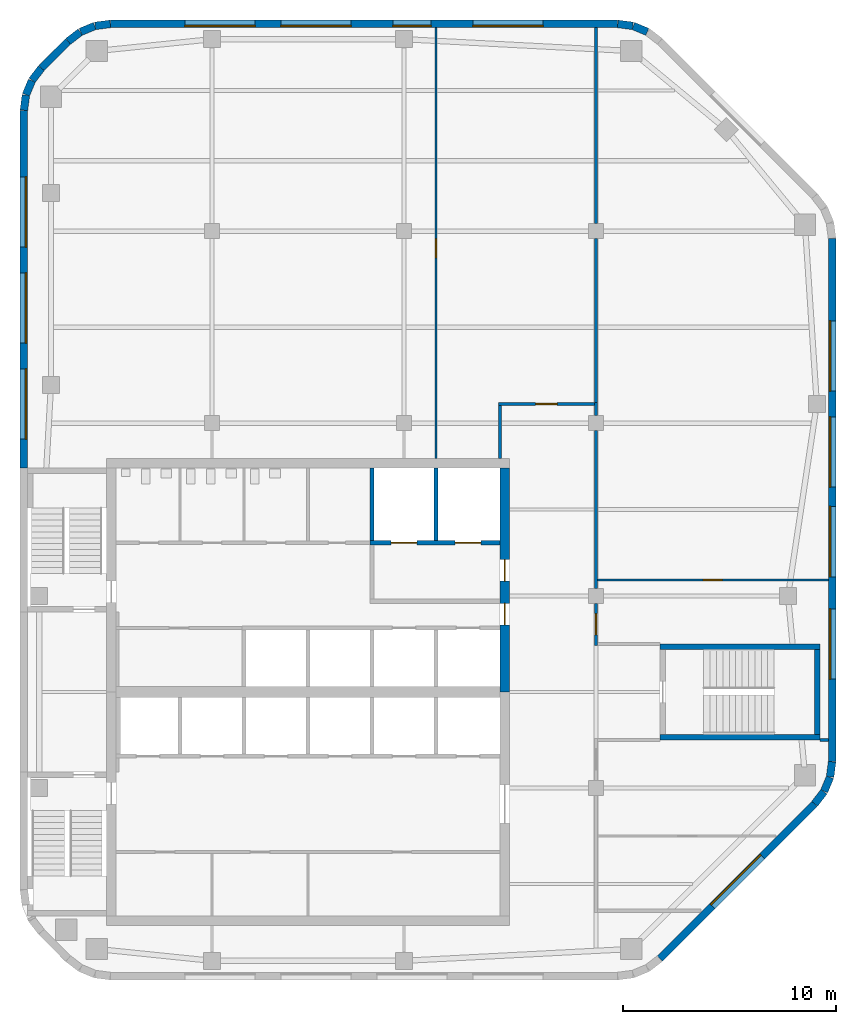
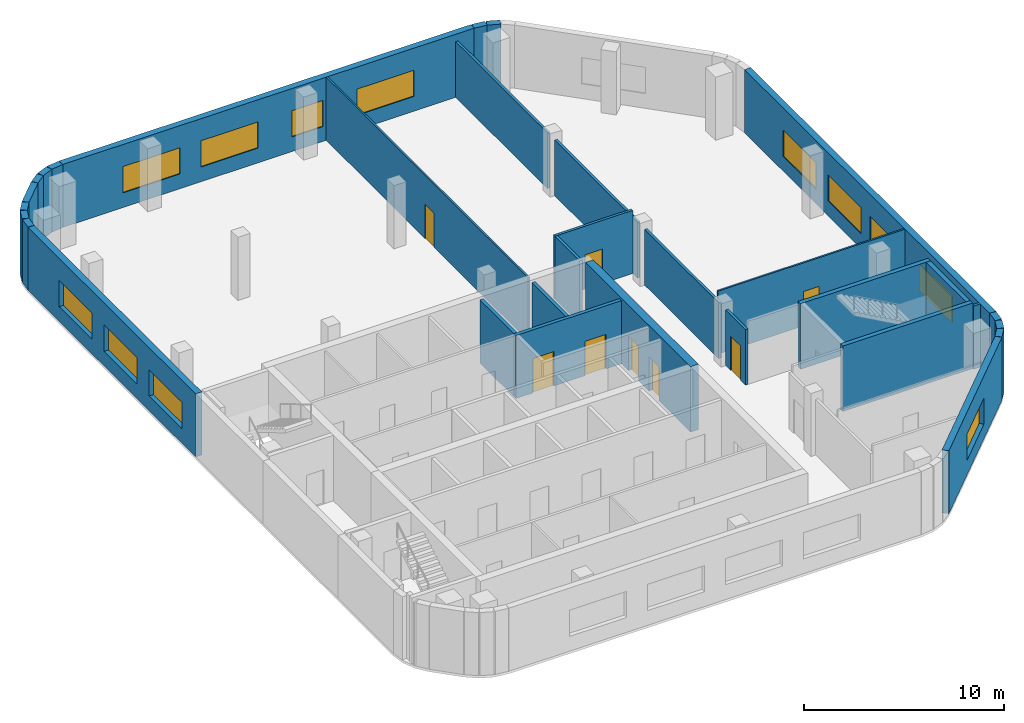
# One storey, part 4 of 7: 33 walls, 12 windows, 8 doors, 20 openings.
"""IFC4 building model written with IfcOpenShell, lengths in metres."""

from ifc_helpers import new_model, si_unit, direction, frame, frame_2d, origin, place, context, subcontext, project, spatial, rectangle, extrude, material, layer, layer_set, type_object, element, fill, save


model = new_model("IFC4")

# Units and contexts
model_context = context("Model", 3, precision=1e-05, world=origin(), true_north=direction((0.0, 1.0)))
body_context = subcontext(model_context, "Body", "Model", "MODEL_VIEW")
ifc_project = project(units=[si_unit("LENGTHUNIT", "METRE"), si_unit("AREAUNIT", "SQUARE_METRE"), si_unit("VOLUMEUNIT", "CUBIC_METRE"), si_unit("PLANEANGLEUNIT", "RADIAN"), si_unit("MASSUNIT", "GRAM", prefix="KILO")], contexts=[model_context])

# Site, building, storey
site_placement = place(None, origin())
site = spatial("IfcSite", under=ifc_project, at=site_placement, CompositionType="ELEMENT")
building_placement = place(site_placement, origin())
building = spatial("IfcBuilding", under=site, at=building_placement, Name="Cinnabar Reach Civic Tower", CompositionType="ELEMENT")
storey_placement = place(building_placement, frame((0.0, 0.0, 259.0)))
storey = spatial("IfcBuildingStorey", under=building, at=storey_placement, Name="L62", CompositionType="ELEMENT", Elevation=259.0)

# Walls
ifc_material_1 = material(Name="Facing brick with insulated backing", Category="masonry")
ifc_layer_1 = layer(ifc_material_1, 0.36)
ifc_layer_set_1 = layer_set([ifc_layer_1], Name="Brick corner wall")
wall_type_1 = type_object("IfcWallType", Name="Brick corner wall", PredefinedType="STANDARD", material=ifc_layer_set_1)
wall_1_placement = place(storey_placement, frame((37.2498, 26.2587, 0.0), z_axis=(0.0, 0.0, 1.0), x_axis=(0.608802368033, 0.793321924995, 0.0)))
element("IfcWall", 1, at=wall_1_placement, inside=storey, type_object=wall_type_1, Name="Brick corner wall", PredefinedType="STANDARD", context=body_context, shape_type="SweptSolid", body=[
    extrude(rectangle(XDim=0.7132, YDim=0.36, at=frame_2d((0.3566, 0.0))), origin(), (0.0, 0.0, 1.0), 3.85),
])
for number, where, z_axis, x_axis, name in (
    (2, (37.6952, 26.8439, 0.0), (0.0, 0.0, 1.0), (0.382702709855, 0.923871547278, 0.0), "Brick corner wall"),
    (3, (37.9739, 27.5244, 0.0), (0.0, 0.0, 1.0), (0.13055608231, 0.99144092581, 0.0), "Brick corner wall"),
    (4, (29.4061, 62.4452, 0.0), (0.0, 0.0, 1.0), (-0.923871547278, 0.382702709855, 0.0), "Brick corner wall"),
    (5, (28.7256, 62.7239, 0.0), (0.0, 0.0, 1.0), (-0.99144092581, 0.13055608231, 0.0), "Brick corner wall"),
    (6, (4.2314, 62.817, 0.0), (0.0, 0.0, 1.0), (-0.99144092581, -0.13055608231, 0.0), "Brick corner wall"),
    (7, (3.5027, 62.7181, 0.0), (0.0, 0.0, 1.0), (-0.923871547278, -0.382702709855, 0.0), "Brick corner wall"),
):
    element("IfcWall", number, at=place(storey_placement, frame(where, z_axis=z_axis, x_axis=x_axis)), inside=storey, type_object=wall_type_1, Name=name, PredefinedType="STANDARD", context=body_context, shape_type="SweptSolid", body=[
        extrude(rectangle(XDim=0.7131, YDim=0.36, at=frame_2d((0.3565, 0.0))), origin(), (0.0, 0.0, 1.0), 3.85),
    ])
for number, where, z_axis, x_axis, name in (
    (8, (2.8245, 62.434, 0.0), (0.0, 0.0, 1.0), (-0.793321924995, -0.608802368033, 0.0), "Brick corner wall"),
    (9, (1.0002, 60.7413, 0.0), (0.0, 0.0, 1.0), (-0.608802368033, -0.793321924995, 0.0), "Brick corner wall"),
):
    element("IfcWall", number, at=place(storey_placement, frame(where, z_axis=z_axis, x_axis=x_axis)), inside=storey, type_object=wall_type_1, Name=name, PredefinedType="STANDARD", context=body_context, shape_type="SweptSolid", body=[
        extrude(rectangle(XDim=0.7132, YDim=0.36, at=frame_2d((0.3566, 0.0))), origin(), (0.0, 0.0, 1.0), 3.85),
    ])
for number, where, z_axis, x_axis, name in (
    (10, (0.5548, 60.1561, 0.0), (0.0, 0.0, 1.0), (-0.382702709855, -0.923871547278, 0.0), "Brick corner wall"),
    (11, (0.2761, 59.4756, 0.0), (0.0, 0.0, 1.0), (-0.13055608231, -0.99144092581, 0.0), "Brick corner wall"),
):
    element("IfcWall", number, at=place(storey_placement, frame(where, z_axis=z_axis, x_axis=x_axis)), inside=storey, type_object=wall_type_1, Name=name, PredefinedType="STANDARD", context=body_context, shape_type="SweptSolid", body=[
        extrude(rectangle(XDim=0.7131, YDim=0.36, at=frame_2d((0.3565, 0.0))), origin(), (0.0, 0.0, 1.0), 3.85),
    ])

# Wall, opening, window
ifc_layer_2 = layer(ifc_material_1, 0.36)
ifc_layer_set_2 = layer_set([ifc_layer_2], Name="Brick pier and spandrel wall")
wall_type_2 = type_object("IfcWallType", Name="Brick pier and spandrel wall", PredefinedType="STANDARD", material=ifc_layer_set_2)
wall_2_placement = place(storey_placement, frame((30.0014, 19.006, 0.0), z_axis=(0.0, 0.0, 1.0), x_axis=(0.707106781187, 0.707106781187, 0.0)))
wall_2 = element("IfcWall", 12, at=wall_2_placement, inside=storey, type_object=wall_type_2, Name="Brick facade wall", PredefinedType="STANDARD", context=body_context, shape_type="SweptSolid", body=[
    extrude(rectangle(XDim=10.2426, YDim=0.36, at=frame_2d((5.1213, 0.0))), origin(), (0.0, 0.0, 1.0), 3.85),
])
opening_1_placement = place(wall_2_placement, frame((3.4713, 0.0, 0.9)))
opening_1 = element("IfcOpeningElement", 13, at=opening_1_placement, cuts=wall_2, Name="Opening W2232", PredefinedType="OPENING", context=body_context, shape_type="SweptSolid", body=[
    extrude(rectangle(XDim=3.3, YDim=1.6, at=frame_2d((1.65, 0.8))), frame((0.0, 0.19, 0.0), z_axis=(0.0, -1.0, 0.0), x_axis=(1.0, 0.0, 0.0)), (0.0, 0.0, 1.0), 0.38),
])
ifc_material_2 = material(Name="Clear double glazing in aluminium frame", Category="aluminium")
window_type_1 = type_object("IfcWindowType", Name="Deep-set window A", PartitioningType="SINGLE_PANEL", PredefinedType="WINDOW", material=ifc_material_2)
window_1_placement = place(opening_1_placement, origin())
window_1 = element("IfcWindow", 14, at=window_1_placement, inside=storey, type_object=window_type_1, Name="Window southeast face", OverallHeight=1.6, OverallWidth=3.3, PartitioningType="SINGLE_PANEL", PredefinedType="WINDOW", context=body_context, shape_type="SweptSolid", body=[
    extrude(rectangle(XDim=3.3, YDim=1.6, at=frame_2d((1.65, 0.8))), frame((0.0, 0.13, 0.0), z_axis=(0.0, -1.0, 0.0), x_axis=(1.0, 0.0, 0.0)), (0.0, 0.0, 1.0), 0.06),
])
fill(opening_1, window_1)

# Wall, openings, windows
wall_3_placement = place(storey_placement, frame((38.07, 28.2426, 0.0), z_axis=(0.0, 0.0, 1.0), x_axis=(0.0, 1.0, 0.0)))
wall_3 = element("IfcWall", 15, at=wall_3_placement, inside=storey, type_object=wall_type_2, Name="Brick facade wall", PredefinedType="STANDARD", context=body_context, shape_type="SweptSolid", body=[
    extrude(rectangle(XDim=24.5148, YDim=0.36, at=frame_2d((12.2574, 0.0))), origin(), (0.0, 0.0, 1.0), 3.85),
])
opening_2_placement = place(wall_3_placement, frame((3.8574, 0.0, 0.9)))
opening_2 = element("IfcOpeningElement", 16, at=opening_2_placement, cuts=wall_3, Name="Opening W2233", PredefinedType="OPENING", context=body_context, shape_type="SweptSolid", body=[
    extrude(rectangle(XDim=3.3, YDim=1.6, at=frame_2d((1.65, 0.8))), frame((0.0, 0.19, 0.0), z_axis=(0.0, -1.0, 0.0), x_axis=(1.0, 0.0, 0.0)), (0.0, 0.0, 1.0), 0.38),
])
opening_3_placement = place(wall_3_placement, frame((8.6574, 0.0, 0.9)))
opening_3 = element("IfcOpeningElement", 17, at=opening_3_placement, cuts=wall_3, Name="Opening W2234", PredefinedType="OPENING", context=body_context, shape_type="SweptSolid", body=[
    extrude(rectangle(XDim=3.3, YDim=1.6, at=frame_2d((1.65, 0.8))), frame((0.0, 0.19, 0.0), z_axis=(0.0, -1.0, 0.0), x_axis=(1.0, 0.0, 0.0)), (0.0, 0.0, 1.0), 0.38),
])
opening_4_placement = place(wall_3_placement, frame((12.8574, 0.0, 0.9)))
opening_4 = element("IfcOpeningElement", 18, at=opening_4_placement, cuts=wall_3, Name="Opening W2235", PredefinedType="OPENING", context=body_context, shape_type="SweptSolid", body=[
    extrude(rectangle(XDim=3.3, YDim=1.6, at=frame_2d((1.65, 0.8))), frame((0.0, 0.19, 0.0), z_axis=(0.0, -1.0, 0.0), x_axis=(1.0, 0.0, 0.0)), (0.0, 0.0, 1.0), 0.38),
])
opening_5_placement = place(wall_3_placement, frame((17.3574, 0.0, 0.9)))
opening_5 = element("IfcOpeningElement", 19, at=opening_5_placement, cuts=wall_3, Name="Opening W2236", PredefinedType="OPENING", context=body_context, shape_type="SweptSolid", body=[
    extrude(rectangle(XDim=3.3, YDim=1.6, at=frame_2d((1.65, 0.8))), frame((0.0, 0.19, 0.0), z_axis=(0.0, -1.0, 0.0), x_axis=(1.0, 0.0, 0.0)), (0.0, 0.0, 1.0), 0.38),
])
window_2_placement = place(opening_2_placement, origin())
window_2 = element("IfcWindow", 20, at=window_2_placement, inside=storey, type_object=window_type_1, Name="Window east face", OverallHeight=1.6, OverallWidth=3.3, PartitioningType="SINGLE_PANEL", PredefinedType="WINDOW", context=body_context, shape_type="SweptSolid", body=[
    extrude(rectangle(XDim=3.3, YDim=1.6, at=frame_2d((1.65, 0.8))), frame((0.0, 0.13, 0.0), z_axis=(0.0, -1.0, 0.0), x_axis=(1.0, 0.0, 0.0)), (0.0, 0.0, 1.0), 0.06),
])
fill(opening_2, window_2)
window_3_placement = place(opening_3_placement, origin())
window_3 = element("IfcWindow", 21, at=window_3_placement, inside=storey, type_object=window_type_1, Name="Window east face", OverallHeight=1.6, OverallWidth=3.3, PartitioningType="SINGLE_PANEL", PredefinedType="WINDOW", context=body_context, shape_type="SweptSolid", body=[
    extrude(rectangle(XDim=3.3, YDim=1.6, at=frame_2d((1.65, 0.8))), frame((0.0, 0.13, 0.0), z_axis=(0.0, -1.0, 0.0), x_axis=(1.0, 0.0, 0.0)), (0.0, 0.0, 1.0), 0.06),
])
fill(opening_3, window_3)
window_4_placement = place(opening_4_placement, origin())
window_4 = element("IfcWindow", 22, at=window_4_placement, inside=storey, type_object=window_type_1, Name="Window east face", OverallHeight=1.6, OverallWidth=3.3, PartitioningType="SINGLE_PANEL", PredefinedType="WINDOW", context=body_context, shape_type="SweptSolid", body=[
    extrude(rectangle(XDim=3.3, YDim=1.6, at=frame_2d((1.65, 0.8))), frame((0.0, 0.13, 0.0), z_axis=(0.0, -1.0, 0.0), x_axis=(1.0, 0.0, 0.0)), (0.0, 0.0, 1.0), 0.06),
])
fill(opening_4, window_4)
window_5_placement = place(opening_5_placement, origin())
window_5 = element("IfcWindow", 23, at=window_5_placement, inside=storey, type_object=window_type_1, Name="Window east face", OverallHeight=1.6, OverallWidth=3.3, PartitioningType="SINGLE_PANEL", PredefinedType="WINDOW", context=body_context, shape_type="SweptSolid", body=[
    extrude(rectangle(XDim=3.3, YDim=1.6, at=frame_2d((1.65, 0.8))), frame((0.0, 0.13, 0.0), z_axis=(0.0, -1.0, 0.0), x_axis=(1.0, 0.0, 0.0)), (0.0, 0.0, 1.0), 0.06),
])
fill(opening_5, window_5)

wall_4_placement = place(storey_placement, frame((28.0074, 62.82, 0.0), z_axis=(0.0, 0.0, 1.0), x_axis=(-1.0, 0.0, 0.0)))
wall_4 = element("IfcWall", 24, at=wall_4_placement, inside=storey, type_object=wall_type_2, Name="Brick facade wall", PredefinedType="STANDARD", context=body_context, shape_type="SweptSolid", body=[
    extrude(rectangle(XDim=23.7648, YDim=0.36, at=frame_2d((11.8824, 0.0))), origin(), (0.0, 0.0, 1.0), 3.85),
])
opening_6_placement = place(wall_4_placement, frame((3.4824, 0.0, 0.9)))
opening_6 = element("IfcOpeningElement", 25, at=opening_6_placement, cuts=wall_4, Name="Opening W2238", PredefinedType="OPENING", context=body_context, shape_type="SweptSolid", body=[
    extrude(rectangle(XDim=3.3, YDim=1.6, at=frame_2d((1.65, 0.8))), frame((0.0, 0.19, 0.0), z_axis=(0.0, -1.0, 0.0), x_axis=(1.0, 0.0, 0.0)), (0.0, 0.0, 1.0), 0.38),
])
opening_7_placement = place(wall_4_placement, frame((8.7324, 0.0, 0.9)))
opening_7 = element("IfcOpeningElement", 26, at=opening_7_placement, cuts=wall_4, Name="Opening W2239", PredefinedType="OPENING", context=body_context, shape_type="SweptSolid", body=[
    extrude(rectangle(XDim=1.8, YDim=1.6, at=frame_2d((0.9, 0.8))), frame((0.0, 0.19, 0.0), z_axis=(0.0, -1.0, 0.0), x_axis=(1.0, 0.0, 0.0)), (0.0, 0.0, 1.0), 0.38),
])
opening_8_placement = place(wall_4_placement, frame((12.4824, 0.0, 0.9)))
opening_8 = element("IfcOpeningElement", 27, at=opening_8_placement, cuts=wall_4, Name="Opening W2240", PredefinedType="OPENING", context=body_context, shape_type="SweptSolid", body=[
    extrude(rectangle(XDim=3.3, YDim=1.6, at=frame_2d((1.65, 0.8))), frame((0.0, 0.19, 0.0), z_axis=(0.0, -1.0, 0.0), x_axis=(1.0, 0.0, 0.0)), (0.0, 0.0, 1.0), 0.38),
])
opening_9_placement = place(wall_4_placement, frame((16.9824, 0.0, 0.9)))
opening_9 = element("IfcOpeningElement", 28, at=opening_9_placement, cuts=wall_4, Name="Opening W2241", PredefinedType="OPENING", context=body_context, shape_type="SweptSolid", body=[
    extrude(rectangle(XDim=3.3, YDim=1.6, at=frame_2d((1.65, 0.8))), frame((0.0, 0.19, 0.0), z_axis=(0.0, -1.0, 0.0), x_axis=(1.0, 0.0, 0.0)), (0.0, 0.0, 1.0), 0.38),
])
window_6_placement = place(opening_6_placement, origin())
window_6 = element("IfcWindow", 29, at=window_6_placement, inside=storey, type_object=window_type_1, Name="Window north face", OverallHeight=1.6, OverallWidth=3.3, PartitioningType="SINGLE_PANEL", PredefinedType="WINDOW", context=body_context, shape_type="SweptSolid", body=[
    extrude(rectangle(XDim=3.3, YDim=1.6, at=frame_2d((1.65, 0.8))), frame((0.0, 0.13, 0.0), z_axis=(0.0, -1.0, 0.0), x_axis=(1.0, 0.0, 0.0)), (0.0, 0.0, 1.0), 0.06),
])
fill(opening_6, window_6)
window_7_placement = place(opening_8_placement, origin())
window_7 = element("IfcWindow", 30, at=window_7_placement, inside=storey, type_object=window_type_1, Name="Window north face", OverallHeight=1.6, OverallWidth=3.3, PartitioningType="SINGLE_PANEL", PredefinedType="WINDOW", context=body_context, shape_type="SweptSolid", body=[
    extrude(rectangle(XDim=3.3, YDim=1.6, at=frame_2d((1.65, 0.8))), frame((0.0, 0.13, 0.0), z_axis=(0.0, -1.0, 0.0), x_axis=(1.0, 0.0, 0.0)), (0.0, 0.0, 1.0), 0.06),
])
fill(opening_8, window_7)
window_8_placement = place(opening_9_placement, origin())
window_8 = element("IfcWindow", 31, at=window_8_placement, inside=storey, type_object=window_type_1, Name="Window north face", OverallHeight=1.6, OverallWidth=3.3, PartitioningType="SINGLE_PANEL", PredefinedType="WINDOW", context=body_context, shape_type="SweptSolid", body=[
    extrude(rectangle(XDim=3.3, YDim=1.6, at=frame_2d((1.65, 0.8))), frame((0.0, 0.13, 0.0), z_axis=(0.0, -1.0, 0.0), x_axis=(1.0, 0.0, 0.0)), (0.0, 0.0, 1.0), 0.06),
])
fill(opening_9, window_8)
window_type_2 = type_object("IfcWindowType", Name="Deep-set window D", PartitioningType="SINGLE_PANEL", PredefinedType="WINDOW", material=ifc_material_2)
window_9_placement = place(opening_7_placement, origin())
window_9 = element("IfcWindow", 32, at=window_9_placement, inside=storey, type_object=window_type_2, Name="Window north face", OverallHeight=1.6, OverallWidth=1.8, PartitioningType="SINGLE_PANEL", PredefinedType="WINDOW", context=body_context, shape_type="SweptSolid", body=[
    extrude(rectangle(XDim=1.8, YDim=1.6, at=frame_2d((0.9, 0.8))), frame((0.0, 0.13, 0.0), z_axis=(0.0, -1.0, 0.0), x_axis=(1.0, 0.0, 0.0)), (0.0, 0.0, 1.0), 0.06),
])
fill(opening_7, window_9)

# Wall
wall_5_placement = place(storey_placement, frame((2.2486, 61.994, 0.0), z_axis=(0.0, 0.0, 1.0), x_axis=(-0.707106781187, -0.707106781187, 0.0)))
element("IfcWall", 33, at=wall_5_placement, inside=storey, type_object=wall_type_2, Name="Brick facade wall", PredefinedType="STANDARD", context=body_context, shape_type="SweptSolid", body=[
    extrude(rectangle(XDim=1.7573, YDim=0.36, at=frame_2d((0.8787, 0.0))), origin(), (0.0, 0.0, 1.0), 3.85),
])

# Wall, openings, windows
wall_6_placement = place(storey_placement, frame((0.18, 58.7574, 0.0), z_axis=(0.0, 0.0, 1.0), x_axis=(0.0, -1.0, 0.0)))
wall_6 = element("IfcWall", 34, at=wall_6_placement, inside=storey, type_object=wall_type_2, Name="Brick facade wall", PredefinedType="STANDARD", context=body_context, shape_type="SweptSolid", body=[
    extrude(rectangle(XDim=16.7574, YDim=0.36, at=frame_2d((8.3787, 0.0))), origin(), (0.0, 0.0, 1.0), 3.85),
])
opening_10_placement = place(wall_6_placement, frame((3.1074, 0.0, 0.9)))
opening_10 = element("IfcOpeningElement", 35, at=opening_10_placement, cuts=wall_6, Name="Opening W2242", PredefinedType="OPENING", context=body_context, shape_type="SweptSolid", body=[
    extrude(rectangle(XDim=3.3, YDim=1.6, at=frame_2d((1.65, 0.8))), frame((0.0, 0.19, 0.0), z_axis=(0.0, -1.0, 0.0), x_axis=(1.0, 0.0, 0.0)), (0.0, 0.0, 1.0), 0.38),
])
opening_11_placement = place(wall_6_placement, frame((7.6074, 0.0, 0.9)))
opening_11 = element("IfcOpeningElement", 36, at=opening_11_placement, cuts=wall_6, Name="Opening W2243", PredefinedType="OPENING", context=body_context, shape_type="SweptSolid", body=[
    extrude(rectangle(XDim=3.3, YDim=1.6, at=frame_2d((1.65, 0.8))), frame((0.0, 0.19, 0.0), z_axis=(0.0, -1.0, 0.0), x_axis=(1.0, 0.0, 0.0)), (0.0, 0.0, 1.0), 0.38),
])
opening_12_placement = place(wall_6_placement, frame((12.1074, 0.0, 0.9)))
opening_12 = element("IfcOpeningElement", 37, at=opening_12_placement, cuts=wall_6, Name="Opening W2244", PredefinedType="OPENING", context=body_context, shape_type="SweptSolid", body=[
    extrude(rectangle(XDim=3.3, YDim=1.6, at=frame_2d((1.65, 0.8))), frame((0.0, 0.19, 0.0), z_axis=(0.0, -1.0, 0.0), x_axis=(1.0, 0.0, 0.0)), (0.0, 0.0, 1.0), 0.38),
])
window_10_placement = place(opening_10_placement, origin())
window_10 = element("IfcWindow", 38, at=window_10_placement, inside=storey, type_object=window_type_1, Name="Window west face", OverallHeight=1.6, OverallWidth=3.3, PartitioningType="SINGLE_PANEL", PredefinedType="WINDOW", context=body_context, shape_type="SweptSolid", body=[
    extrude(rectangle(XDim=3.3, YDim=1.6, at=frame_2d((1.65, 0.8))), frame((0.0, 0.13, 0.0), z_axis=(0.0, -1.0, 0.0), x_axis=(1.0, 0.0, 0.0)), (0.0, 0.0, 1.0), 0.06),
])
fill(opening_10, window_10)
window_11_placement = place(opening_11_placement, origin())
window_11 = element("IfcWindow", 39, at=window_11_placement, inside=storey, type_object=window_type_1, Name="Window west face", OverallHeight=1.6, OverallWidth=3.3, PartitioningType="SINGLE_PANEL", PredefinedType="WINDOW", context=body_context, shape_type="SweptSolid", body=[
    extrude(rectangle(XDim=3.3, YDim=1.6, at=frame_2d((1.65, 0.8))), frame((0.0, 0.13, 0.0), z_axis=(0.0, -1.0, 0.0), x_axis=(1.0, 0.0, 0.0)), (0.0, 0.0, 1.0), 0.06),
])
fill(opening_11, window_11)
window_12_placement = place(opening_12_placement, origin())
window_12 = element("IfcWindow", 40, at=window_12_placement, inside=storey, type_object=window_type_1, Name="Window west face", OverallHeight=1.6, OverallWidth=3.3, PartitioningType="SINGLE_PANEL", PredefinedType="WINDOW", context=body_context, shape_type="SweptSolid", body=[
    extrude(rectangle(XDim=3.3, YDim=1.6, at=frame_2d((1.65, 0.8))), frame((0.0, 0.13, 0.0), z_axis=(0.0, -1.0, 0.0), x_axis=(1.0, 0.0, 0.0)), (0.0, 0.0, 1.0), 0.06),
])
fill(opening_12, window_12)

# Wall, openings, doors
ifc_material_3 = material(Name="Concrete C60", Category="concrete")
ifc_layer_3 = layer(ifc_material_3, 0.45)
ifc_layer_set_3 = layer_set([ifc_layer_3], Name="Core wall 450 EI 180")
wall_type_3 = type_object("IfcWallType", Name="Core wall 450 EI 180", PredefinedType="SOLIDWALL", material=ifc_layer_set_3)
wall_7_placement = place(storey_placement, frame((22.725, 31.5, 0.0), z_axis=(0.0, 0.0, 1.0), x_axis=(0.0, 1.0, 0.0)))
wall_7 = element("IfcWall", 41, at=wall_7_placement, inside=storey, type_object=wall_type_3, Name="Core wall T1 L62 E2", PredefinedType="SOLIDWALL", context=body_context, shape_type="SweptSolid", body=[
    extrude(rectangle(XDim=10.5, YDim=0.45, at=frame_2d((5.25, 0.0))), origin(), (0.0, 0.0, 1.0), 4.0),
])
opening_13_placement = place(wall_7_placement, frame((3.15, 0.0, 0.0)))
opening_13 = element("IfcOpeningElement", 42, at=opening_13_placement, cuts=wall_7, Name="Opening D5489", PredefinedType="OPENING", context=body_context, shape_type="SweptSolid", body=[
    extrude(rectangle(XDim=1.0, YDim=2.1, at=frame_2d((0.5, 1.05))), frame((0.0, 0.235, 0.0), z_axis=(0.0, -1.0, 0.0), x_axis=(1.0, 0.0, 0.0)), (0.0, 0.0, 1.0), 0.47),
])
opening_14_placement = place(wall_7_placement, frame((5.2, 0.0, 0.0)))
opening_14 = element("IfcOpeningElement", 43, at=opening_14_placement, cuts=wall_7, Name="Opening D5490", PredefinedType="OPENING", context=body_context, shape_type="SweptSolid", body=[
    extrude(rectangle(XDim=1.0, YDim=2.1, at=frame_2d((0.5, 1.05))), frame((0.0, 0.235, 0.0), z_axis=(0.0, -1.0, 0.0), x_axis=(1.0, 0.0, 0.0)), (0.0, 0.0, 1.0), 0.47),
])
ifc_material_4 = material(Name="Timber door leaf in steel frame", Category="steel")
door_type_1 = type_object("IfcDoorType", Name="Firefighting lobby door 1000 x 2100 T1", OperationType="SINGLE_SWING_LEFT", PredefinedType="DOOR", material=ifc_material_4)
door_1_placement = place(opening_14_placement, origin())
door_1 = element("IfcDoor", 44, at=door_1_placement, inside=storey, type_object=door_type_1, Name="Door D5490", OperationType="SINGLE_SWING_LEFT", OverallHeight=2.1, OverallWidth=1.0, PredefinedType="DOOR", context=body_context, shape_type="SweptSolid", body=[
    extrude(rectangle(XDim=1.0, YDim=2.1, at=frame_2d((0.5, 1.05))), frame((0.0, 0.025, 0.0), z_axis=(0.0, -1.0, 0.0), x_axis=(1.0, 0.0, 0.0)), (0.0, 0.0, 1.0), 0.05),
])
fill(opening_14, door_1)
door_type_2 = type_object("IfcDoorType", Name="Single swing door 1000 x 2100 T1", OperationType="SINGLE_SWING_LEFT", PredefinedType="DOOR", material=ifc_material_4)
door_2_placement = place(opening_13_placement, origin())
door_2 = element("IfcDoor", 45, at=door_2_placement, inside=storey, type_object=door_type_2, Name="Door D5489", OperationType="SINGLE_SWING_RIGHT", OverallHeight=2.1, OverallWidth=1.0, PredefinedType="DOOR", context=body_context, shape_type="SweptSolid", body=[
    extrude(rectangle(XDim=1.0, YDim=2.1, at=frame_2d((0.5, 1.05))), frame((0.0, 0.025, 0.0), z_axis=(0.0, -1.0, 0.0), x_axis=(1.0, 0.0, 0.0)), (0.0, 0.0, 1.0), 0.05),
])
fill(opening_13, door_2)

# Wall, opening, door
ifc_material_5 = material(Name="Gypsum board on steel studs, double layer", Category="steel")
ifc_layer_4 = layer(ifc_material_5, 0.15)
ifc_layer_set_4 = layer_set([ifc_layer_4], Name="Corridor wall 150 T1")
wall_type_4 = type_object("IfcWallType", Name="Corridor wall 150 T1", PredefinedType="PARTITIONING", material=ifc_layer_set_4)
wall_8_placement = place(storey_placement, frame((27.0, 33.675, 0.0), z_axis=(0.0, 0.0, 1.0), x_axis=(0.0, 1.0, 0.0)))
wall_8 = element("IfcWall", 46, at=wall_8_placement, inside=storey, type_object=wall_type_4, Name="Corridor wall 20", PredefinedType="PARTITIONING", context=body_context, shape_type="SweptSolid", body=[
    extrude(rectangle(XDim=1.975, YDim=0.15, at=frame_2d((0.9875, 0.0))), origin(), (0.0, 0.0, 1.0), 3.4),
])
opening_15_placement = place(wall_8_placement, frame((0.5, 0.0, 0.0)))
opening_15 = element("IfcOpeningElement", 47, at=opening_15_placement, cuts=wall_8, Name="Opening D5500", PredefinedType="OPENING", context=body_context, shape_type="SweptSolid", body=[
    extrude(rectangle(XDim=1.0, YDim=2.1, at=frame_2d((0.5, 1.05))), frame((0.0, 0.085, 0.0), z_axis=(0.0, -1.0, 0.0), x_axis=(1.0, 0.0, 0.0)), (0.0, 0.0, 1.0), 0.17),
])
door_type_3 = type_object("IfcDoorType", Name="Tenancy entrance door 1000 x 2100 T1", OperationType="SINGLE_SWING_LEFT", PredefinedType="DOOR", material=ifc_material_4)
door_3_placement = place(opening_15_placement, frame((1.0, 0.0, 0.0), z_axis=(0.0, 0.0, 1.0), x_axis=(-1.0, 0.0, 0.0)))
door_3 = element("IfcDoor", 48, at=door_3_placement, inside=storey, type_object=door_type_3, Name="Door D5500", OperationType="SINGLE_SWING_RIGHT", OverallHeight=2.1, OverallWidth=1.0, PredefinedType="DOOR", context=body_context, shape_type="SweptSolid", body=[
    extrude(rectangle(XDim=1.0, YDim=2.1, at=frame_2d((0.5, 1.05))), frame((0.0, 0.025, 0.0), z_axis=(0.0, -1.0, 0.0), x_axis=(1.0, 0.0, 0.0)), (0.0, 0.0, 1.0), 0.05),
])
fill(opening_15, door_3)

# Walls
wall_9_placement = place(storey_placement, frame((27.0, 36.35, 0.0), z_axis=(0.0, 0.0, 1.0), x_axis=(0.0, 1.0, 0.0)))
element("IfcWall", 49, at=wall_9_placement, inside=storey, type_object=wall_type_4, Name="Corridor wall 21", PredefinedType="PARTITIONING", context=body_context, shape_type="SweptSolid", body=[
    extrude(rectangle(XDim=7.4, YDim=0.15, at=frame_2d((3.7, 0.0))), origin(), (0.0, 0.0, 1.0), 3.4),
])
wall_10_placement = place(storey_placement, frame((27.0, 44.45, 0.0), z_axis=(0.0, 0.0, 1.0), x_axis=(0.0, 1.0, 0.0)))
element("IfcWall", 50, at=wall_10_placement, inside=storey, type_object=wall_type_4, Name="Corridor wall 22", PredefinedType="PARTITIONING", context=body_context, shape_type="SweptSolid", body=[
    extrude(rectangle(XDim=0.625, YDim=0.15, at=frame_2d((0.3125, 0.0))), origin(), (0.0, 0.0, 1.0), 3.4),
])

# Wall, opening, door
wall_11_placement = place(storey_placement, frame((22.425, 45.0, 0.0), z_axis=(0.0, 0.0, 1.0), x_axis=(1.0, 0.0, 0.0)))
wall_11 = element("IfcWall", 51, at=wall_11_placement, inside=storey, type_object=wall_type_4, Name="Corridor wall 27", PredefinedType="PARTITIONING", context=body_context, shape_type="SweptSolid", body=[
    extrude(rectangle(XDim=4.5, YDim=0.15, at=frame_2d((2.25, 0.0))), origin(), (0.0, 0.0, 1.0), 3.85),
])
opening_16_placement = place(wall_11_placement, frame((1.75, 0.0, 0.0)))
opening_16 = element("IfcOpeningElement", 52, at=opening_16_placement, cuts=wall_11, Name="Opening D5504", PredefinedType="OPENING", context=body_context, shape_type="SweptSolid", body=[
    extrude(rectangle(XDim=1.0, YDim=2.1, at=frame_2d((0.5, 1.05))), frame((0.0, 0.085, 0.0), z_axis=(0.0, -1.0, 0.0), x_axis=(1.0, 0.0, 0.0)), (0.0, 0.0, 1.0), 0.17),
])
door_4_placement = place(opening_16_placement, origin())
door_4 = element("IfcDoor", 53, at=door_4_placement, inside=storey, type_object=door_type_3, Name="Door D5504", OperationType="SINGLE_SWING_LEFT", OverallHeight=2.1, OverallWidth=1.0, PredefinedType="DOOR", context=body_context, shape_type="SweptSolid", body=[
    extrude(rectangle(XDim=1.0, YDim=2.1, at=frame_2d((0.5, 1.05))), frame((0.0, 0.025, 0.0), z_axis=(0.0, -1.0, 0.0), x_axis=(1.0, 0.0, 0.0)), (0.0, 0.0, 1.0), 0.05),
])
fill(opening_16, door_4)

# Walls
wall_12_placement = place(storey_placement, frame((22.5, 42.45, 0.0), z_axis=(0.0, 0.0, 1.0), x_axis=(0.0, 1.0, 0.0)))
element("IfcWall", 54, at=wall_12_placement, inside=storey, type_object=wall_type_4, Name="Corridor wall 32", PredefinedType="PARTITIONING", context=body_context, shape_type="SweptSolid", body=[
    extrude(rectangle(XDim=2.475, YDim=0.15, at=frame_2d((1.2375, 0.0))), origin(), (0.0, 0.0, 1.0), 3.85),
])
ifc_material_6 = material(Name="Blockwork", Category="masonry")
ifc_layer_5 = layer(ifc_material_6, 0.2)
ifc_layer_set_5 = layer_set([ifc_layer_5], Name="Lift shaft wall 200 T1")
wall_type_5 = type_object("IfcWallType", Name="Lift shaft wall 200 T1", PredefinedType="PARTITIONING", material=ifc_layer_set_5)
for number, where, z_axis, x_axis, name in (
    (55, (16.5, 38.6, 0.0), (0.0, 0.0, 1.0), (0.0, 1.0, 0.0), "Lift shaft wall 14"),
    (56, (19.5, 38.6, 0.0), (0.0, 0.0, 1.0), (0.0, 1.0, 0.0), "Lift shaft wall 15"),
):
    element("IfcWall", number, at=place(storey_placement, frame(where, z_axis=z_axis, x_axis=x_axis)), inside=storey, type_object=wall_type_5, Name=name, PredefinedType="PARTITIONING", context=body_context, shape_type="SweptSolid", body=[
        extrude(rectangle(XDim=3.4, YDim=0.2, at=frame_2d((1.7, 0.0))), origin(), (0.0, 0.0, 1.0), 3.85),
    ])

# Wall, opening, door
ifc_material_7 = material(Name="Gypsum board on steel studs", Category="steel")
ifc_layer_6 = layer(ifc_material_7, 0.1)
ifc_layer_set_6 = layer_set([ifc_layer_6], Name="Partition wall 100 T1")
wall_type_6 = type_object("IfcWallType", Name="Partition wall 100 T1", PredefinedType="PARTITIONING", material=ifc_layer_set_6)
wall_13_placement = place(storey_placement, frame((19.5, 42.45, 0.0), z_axis=(0.0, 0.0, 1.0), x_axis=(0.0, 1.0, 0.0)))
wall_13 = element("IfcWall", 57, at=wall_13_placement, inside=storey, type_object=wall_type_6, Name="Partition wall 38", PredefinedType="PARTITIONING", context=body_context, shape_type="SweptSolid", body=[
    extrude(rectangle(XDim=20.19, YDim=0.1, at=frame_2d((10.095, 0.0))), origin(), (0.0, 0.0, 1.0), 3.85),
])
opening_17_placement = place(wall_13_placement, frame((9.4, 0.0, 0.0)))
opening_17 = element("IfcOpeningElement", 58, at=opening_17_placement, cuts=wall_13, Name="Opening D5505", PredefinedType="OPENING", context=body_context, shape_type="SweptSolid", body=[
    extrude(rectangle(XDim=0.9, YDim=2.1, at=frame_2d((0.45, 1.05))), frame((0.0, 0.06, 0.0), z_axis=(0.0, -1.0, 0.0), x_axis=(1.0, 0.0, 0.0)), (0.0, 0.0, 1.0), 0.12),
])
door_type_4 = type_object("IfcDoorType", Name="Single swing door 900 x 2100 T1", OperationType="SINGLE_SWING_LEFT", PredefinedType="DOOR", material=ifc_material_4)
door_5_placement = place(opening_17_placement, frame((0.9, 0.0, 0.0), z_axis=(0.0, 0.0, 1.0), x_axis=(-1.0, 0.0, 0.0)))
door_5 = element("IfcDoor", 59, at=door_5_placement, inside=storey, type_object=door_type_4, Name="Door D5505", OperationType="SINGLE_SWING_LEFT", OverallHeight=2.1, OverallWidth=0.9, PredefinedType="DOOR", context=body_context, shape_type="SweptSolid", body=[
    extrude(rectangle(XDim=0.9, YDim=2.1, at=frame_2d((0.45, 1.05))), frame((0.0, 0.025, 0.0), z_axis=(0.0, -1.0, 0.0), x_axis=(1.0, 0.0, 0.0)), (0.0, 0.0, 1.0), 0.05),
])
fill(opening_17, door_5)

wall_14_placement = place(storey_placement, frame((27.075, 36.75, 0.0), z_axis=(0.0, 0.0, 1.0), x_axis=(1.0, 0.0, 0.0)))
wall_14 = element("IfcWall", 60, at=wall_14_placement, inside=storey, type_object=wall_type_6, Name="Partition wall 39", PredefinedType="PARTITIONING", context=body_context, shape_type="SweptSolid", body=[
    extrude(rectangle(XDim=10.815, YDim=0.1, at=frame_2d((5.4075, 0.0))), origin(), (0.0, 0.0, 1.0), 3.85),
])
opening_18_placement = place(wall_14_placement, frame((4.95, 0.0, 0.0)))
opening_18 = element("IfcOpeningElement", 61, at=opening_18_placement, cuts=wall_14, Name="Opening D5501", PredefinedType="OPENING", context=body_context, shape_type="SweptSolid", body=[
    extrude(rectangle(XDim=0.9, YDim=2.1, at=frame_2d((0.45, 1.05))), frame((0.0, 0.06, 0.0), z_axis=(0.0, -1.0, 0.0), x_axis=(1.0, 0.0, 0.0)), (0.0, 0.0, 1.0), 0.12),
])
door_6_placement = place(opening_18_placement, frame((0.9, 0.0, 0.0), z_axis=(0.0, 0.0, 1.0), x_axis=(-1.0, 0.0, 0.0)))
door_6 = element("IfcDoor", 62, at=door_6_placement, inside=storey, type_object=door_type_4, Name="Door D5501", OperationType="SINGLE_SWING_LEFT", OverallHeight=2.1, OverallWidth=0.9, PredefinedType="DOOR", context=body_context, shape_type="SweptSolid", body=[
    extrude(rectangle(XDim=0.9, YDim=2.1, at=frame_2d((0.45, 1.05))), frame((0.0, 0.025, 0.0), z_axis=(0.0, -1.0, 0.0), x_axis=(1.0, 0.0, 0.0)), (0.0, 0.0, 1.0), 0.05),
])
fill(opening_18, door_6)

# Wall, openings, doors
ifc_material_8 = material(Name="Concrete C40", Category="concrete")
ifc_layer_7 = layer(ifc_material_8, 0.2)
ifc_layer_set_7 = layer_set([ifc_layer_7], Name="Refuge compartment wall 200 T1")
wall_type_7 = type_object("IfcWallType", Name="Refuge compartment wall 200 T1", PredefinedType="PARTITIONING", material=ifc_layer_set_7)
wall_15_placement = place(storey_placement, frame((16.4, 38.5, 0.0), z_axis=(0.0, 0.0, 1.0), x_axis=(1.0, 0.0, 0.0)))
wall_15 = element("IfcWall", 63, at=wall_15_placement, inside=storey, type_object=wall_type_7, Name="Refuge compartment wall 2", PredefinedType="PARTITIONING", context=body_context, shape_type="SweptSolid", body=[
    extrude(rectangle(XDim=6.1, YDim=0.2, at=frame_2d((3.05, 0.0))), origin(), (0.0, 0.0, 1.0), 3.85),
])
opening_19_placement = place(wall_15_placement, frame((1.0, 0.0, 0.0)))
opening_19 = element("IfcOpeningElement", 64, at=opening_19_placement, cuts=wall_15, Name="Opening D5486", PredefinedType="OPENING", context=body_context, shape_type="SweptSolid", body=[
    extrude(rectangle(XDim=1.2, YDim=2.1, at=frame_2d((0.6, 1.05))), frame((0.0, 0.11, 0.0), z_axis=(0.0, -1.0, 0.0), x_axis=(1.0, 0.0, 0.0)), (0.0, 0.0, 1.0), 0.22),
])
opening_20_placement = place(wall_15_placement, frame((4.0, 0.0, 0.0)))
opening_20 = element("IfcOpeningElement", 65, at=opening_20_placement, cuts=wall_15, Name="Opening D5487", PredefinedType="OPENING", context=body_context, shape_type="SweptSolid", body=[
    extrude(rectangle(XDim=1.2, YDim=2.1, at=frame_2d((0.6, 1.05))), frame((0.0, 0.11, 0.0), z_axis=(0.0, -1.0, 0.0), x_axis=(1.0, 0.0, 0.0)), (0.0, 0.0, 1.0), 0.22),
])
ifc_material_9 = material(Name="Stainless steel sliding door", Category="steel")
door_type_5 = type_object("IfcDoorType", Name="Firefighting lift landing door 1200 x 2100 T1", OperationType="SLIDING_TO_LEFT", PredefinedType="DOOR", material=ifc_material_9)
door_7_placement = place(opening_19_placement, origin())
door_7 = element("IfcDoor", 66, at=door_7_placement, inside=storey, type_object=door_type_5, Name="Lift landing door FF1 L62", OperationType="SLIDING_TO_LEFT", OverallHeight=2.1, OverallWidth=1.2, PredefinedType="DOOR", context=body_context, shape_type="SweptSolid", body=[
    extrude(rectangle(XDim=1.2, YDim=2.1, at=frame_2d((0.6, 1.05))), frame((0.0, 0.025, 0.0), z_axis=(0.0, -1.0, 0.0), x_axis=(1.0, 0.0, 0.0)), (0.0, 0.0, 1.0), 0.05),
])
fill(opening_19, door_7)
door_8_placement = place(opening_20_placement, origin())
door_8 = element("IfcDoor", 67, at=door_8_placement, inside=storey, type_object=door_type_5, Name="Lift landing door FF2 L62", OperationType="SLIDING_TO_LEFT", OverallHeight=2.1, OverallWidth=1.2, PredefinedType="DOOR", context=body_context, shape_type="SweptSolid", body=[
    extrude(rectangle(XDim=1.2, YDim=2.1, at=frame_2d((0.6, 1.05))), frame((0.0, 0.025, 0.0), z_axis=(0.0, -1.0, 0.0), x_axis=(1.0, 0.0, 0.0)), (0.0, 0.0, 1.0), 0.05),
])
fill(opening_20, door_8)

# Walls
ifc_layer_8 = layer(ifc_material_3, 0.25)
ifc_layer_set_8 = layer_set([ifc_layer_8], Name="Stair shaft wall 250 EI 120")
wall_type_8 = type_object("IfcWallType", Name="Stair shaft wall 250 EI 120", PredefinedType="SOLIDWALL", material=ifc_layer_set_8)
for number, where, z_axis, x_axis, name in (
    (68, (30.0, 29.375, 0.0), (0.0, 0.0, 1.0), (1.0, 0.0, 0.0), "Stair shaft wall T1-S3 L62"),
    (69, (37.5, 33.625, 0.0), (0.0, 0.0, 1.0), (-1.0, 0.0, 0.0), "Stair shaft wall T1-S3 L62"),
):
    element("IfcWall", number, at=place(storey_placement, frame(where, z_axis=z_axis, x_axis=x_axis)), inside=storey, type_object=wall_type_8, Name=name, PredefinedType="SOLIDWALL", context=body_context, shape_type="SweptSolid", body=[
        extrude(rectangle(XDim=7.5, YDim=0.25, at=frame_2d((3.75, 0.0))), origin(), (0.0, 0.0, 1.0), 4.0),
    ])
wall_16_placement = place(storey_placement, frame((37.375, 29.5, 0.0), z_axis=(0.0, 0.0, 1.0), x_axis=(0.0, 1.0, 0.0)))
element("IfcWall", 70, at=wall_16_placement, inside=storey, type_object=wall_type_8, Name="Stair shaft wall T1-S3 L62", PredefinedType="SOLIDWALL", context=body_context, shape_type="SweptSolid", body=[
    extrude(rectangle(XDim=4.0, YDim=0.25, at=frame_2d((2.0, 0.0))), origin(), (0.0, 0.0, 1.0), 4.0),
])
ifc_layer_9 = layer(ifc_material_5, 0.15)
ifc_layer_set_9 = layer_set([ifc_layer_9], Name="Tenancy separating wall 150 T1")
wall_type_9 = type_object("IfcWallType", Name="Tenancy separating wall 150 T1", PredefinedType="PARTITIONING", material=ifc_layer_set_9)
wall_17_placement = place(storey_placement, frame((27.0, 53.45, 0.0), z_axis=(0.0, 0.0, 1.0), x_axis=(0.0, 1.0, 0.0)))
element("IfcWall", 71, at=wall_17_placement, inside=storey, type_object=wall_type_9, Name="Tenancy separating wall 35", PredefinedType="PARTITIONING", context=body_context, shape_type="SweptSolid", body=[
    extrude(rectangle(XDim=9.19, YDim=0.15, at=frame_2d((4.595, 0.0))), origin(), (0.0, 0.0, 1.0), 3.4),
])
wall_18_placement = place(storey_placement, frame((27.0, 45.075, 0.0), z_axis=(0.0, 0.0, 1.0), x_axis=(0.0, 1.0, 0.0)))
element("IfcWall", 72, at=wall_18_placement, inside=storey, type_object=wall_type_9, Name="Tenancy separating wall 36", PredefinedType="PARTITIONING", context=body_context, shape_type="SweptSolid", body=[
    extrude(rectangle(XDim=7.675, YDim=0.15, at=frame_2d((3.8375, 0.0))), origin(), (0.0, 0.0, 1.0), 3.4),
])
wall_19_placement = place(storey_placement, frame((37.5, 29.25, 0.0), z_axis=(0.0, 0.0, 1.0), x_axis=(1.0, 0.0, 0.0)))
element("IfcWall", 73, at=wall_19_placement, inside=storey, type_object=wall_type_9, Name="Tenancy separating wall 37", PredefinedType="PARTITIONING", context=body_context, shape_type="SweptSolid", body=[
    extrude(rectangle(XDim=0.39, YDim=0.15, at=frame_2d((0.195, 0.0))), origin(), (0.0, 0.0, 1.0), 3.85),
])

save(model, "model.ifc")
